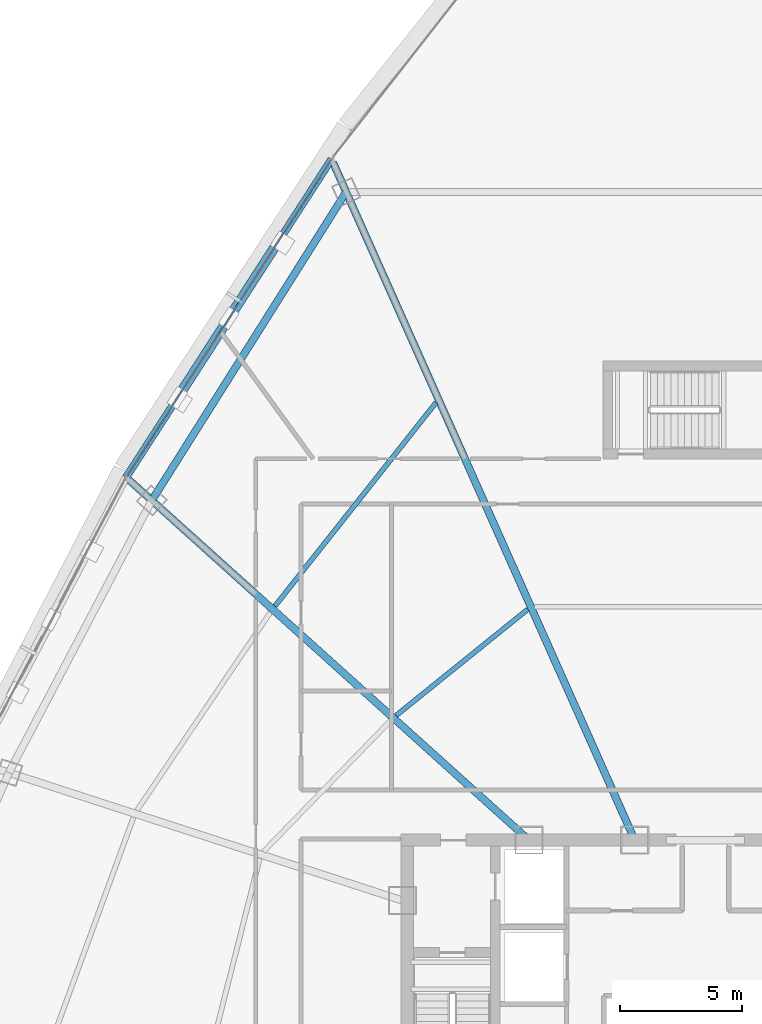
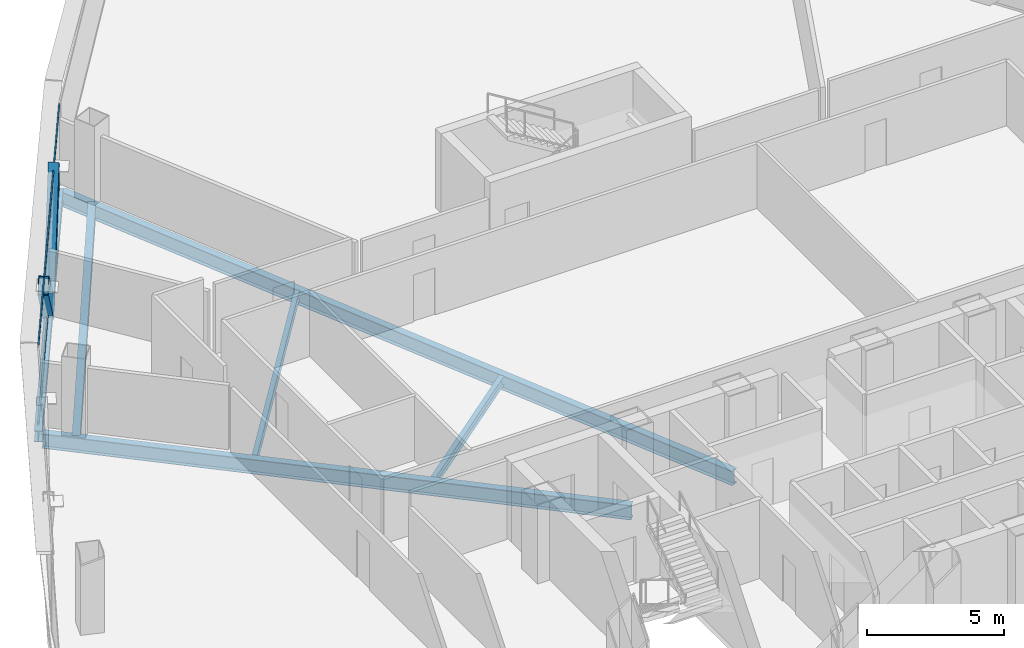
# One storey, part 17 of 36: 6 beams, 4 members, 1 element without a shape of its own.
"""IFC4 building model written with IfcOpenShell, lengths in metres."""

from ifc_helpers import new_model, si_unit, direction, frame, origin, origin_2d, place, context, subcontext, project, spatial, hollow_rectangle, i_section, extrude, source, transform, mapped, material, layer, layer_set, material_profile, profile_set, type_object, element, aggregate, save


model = new_model("IFC4")

# Units and contexts
model_context = context("Model", 3, precision=1e-05, world=origin(), true_north=direction((0.0, 1.0)))
body_context = subcontext(model_context, "Body", "Model", "MODEL_VIEW")
ifc_project = project(units=[si_unit("LENGTHUNIT", "METRE"), si_unit("AREAUNIT", "SQUARE_METRE"), si_unit("VOLUMEUNIT", "CUBIC_METRE"), si_unit("PLANEANGLEUNIT", "RADIAN"), si_unit("MASSUNIT", "GRAM", prefix="KILO"), si_unit("THERMODYNAMICTEMPERATUREUNIT", "KELVIN"), si_unit("POWERUNIT", "WATT")], contexts=[model_context])

# Site, building, storey
site_placement = place(None, origin())
site = spatial("IfcSite", under=ifc_project, at=site_placement, CompositionType="ELEMENT")
building_placement = place(site_placement, origin())
building = spatial("IfcBuilding", under=site, at=building_placement, Name="Yunzhuo Pagoda Commons", CompositionType="ELEMENT")
storey_placement = place(building_placement, frame((0.0, 0.0, 215.159912109375)))
storey = spatial("IfcBuildingStorey", under=building, at=storey_placement, Name="L54", CompositionType="ELEMENT", Elevation=215.159912109375)

# Beams
ifc_material_1 = material(Name="Structural steel Q355B", Category="steel")
ifc_material_profile_1 = material_profile(ifc_material_1, i_section(OverallWidth=0.300048828125, OverallDepth=0.64990234375, WebThickness=0.012939453125, FlangeThickness=0.02197265625, at=origin_2d()), Name="Structural steel Q355B")
ifc_profile_set_1 = profile_set([ifc_material_profile_1], Name="Structural steel Q355B")
beam_type_1 = type_object("IfcBeamType", Name="B-RG2 Beam HN 650x300x13x22", PredefinedType="BEAM", material=ifc_profile_set_1)
shared_shape_1 = source(origin(), body_context, "Body", "SweptSolid", [
    extrude(i_section(OverallWidth=0.300048828125, OverallDepth=0.64990234375, WebThickness=0.012939453125, FlangeThickness=0.02197265625, at=origin_2d()), origin(), (0.0, 0.0, 1.0), 14.916015625),
])
beam_1_placement = place(storey_placement, frame((33.301025390625, 66.714599609375, -0.5849609375), z_axis=(-0.533092374013, -0.846057043449, 0.0), x_axis=(0.846057043449, -0.533092374013, 0.0)))
element("IfcBeam", 1, at=beam_1_placement, inside=storey, type_object=beam_type_1, Name="L54 column-ring beam 9", PredefinedType="BEAM", context=body_context, shape_type="MappedRepresentation", body=[
    mapped(shared_shape_1, transform((0.0, 0.0, 0.0), scale=1.0)),
])
ifc_material_profile_2 = material_profile(ifc_material_1, i_section(OverallWidth=0.199951171875, OverallDepth=0.39990234375, WebThickness=0.008056640625, FlangeThickness=0.012939453125, at=origin_2d()), Name="Structural steel Q355B")
ifc_profile_set_2 = profile_set([ifc_material_profile_2], Name="Structural steel Q355B")
beam_type_2 = type_object("IfcBeamType", Name="B-JS1 Joist HN 400x200x8x13", PredefinedType="JOIST", material=ifc_profile_set_2)
shared_shape_2 = source(origin(), body_context, "Body", "SweptSolid", [
    extrude(i_section(OverallWidth=0.199951171875, OverallDepth=0.39990234375, WebThickness=0.008056640625, FlangeThickness=0.012939453125, at=origin_2d()), origin(), (0.0, 0.0, 1.0), 6.916748046875),
])
beam_2_placement = place(storey_placement, frame((40.732421875, 49.645263671875, -0.4599609375), z_axis=(-0.778265575865, -0.627935262127, 0.0), x_axis=(0.627935262127, -0.778265575865, 0.0)))
element("IfcBeam", 2, at=beam_2_placement, inside=storey, type_object=beam_type_2, Name="L54 composite ring joist 1.9", PredefinedType="JOIST", context=body_context, shape_type="MappedRepresentation", body=[
    mapped(shared_shape_2, transform((0.0, 0.0, 0.0), scale=1.0)),
])
shared_shape_3 = source(origin(), body_context, "Body", "SweptSolid", [
    extrude(i_section(OverallWidth=0.199951171875, OverallDepth=0.39990234375, WebThickness=0.008056640625, FlangeThickness=0.012939453125, at=origin_2d()), origin(), (0.0, 0.0, 1.0), 10.625732421875),
])
beam_3_placement = place(storey_placement, frame((36.980224609375, 58.105224609375, -0.4599609375), z_axis=(-0.620589944532, -0.784135269418, 0.0), x_axis=(0.784135269418, -0.620589944532, 0.0)))
element("IfcBeam", 3, at=beam_3_placement, inside=storey, type_object=beam_type_2, Name="L54 composite ring joist 2.9", PredefinedType="JOIST", context=body_context, shape_type="MappedRepresentation", body=[
    mapped(shared_shape_3, transform((0.0, 0.0, 0.0), scale=1.0)),
])
shared_shape_4 = source(origin(), body_context, "Body", "SweptSolid", [
    extrude(i_section(OverallWidth=0.300048828125, OverallDepth=0.64990234375, WebThickness=0.012939453125, FlangeThickness=0.02197265625, at=origin_2d()), origin(), (0.0, 0.0, 1.0), 22.02490234375),
])
beam_4_placement = place(storey_placement, frame((24.413330078125, 54.9375, -0.5849609375), z_axis=(0.743144207788, -0.669131292371, 0.0), x_axis=(0.669131292371, 0.743144207788, 0.0)))
element("IfcBeam", 4, at=beam_4_placement, inside=storey, type_object=beam_type_1, Name="L54 radial floor girder F3C2", PredefinedType="BEAM", context=body_context, shape_type="MappedRepresentation", body=[
    mapped(shared_shape_4, transform((0.0, 0.0, 0.0), scale=1.0)),
])
shared_shape_5 = source(origin(), body_context, "Body", "SweptSolid", [
    extrude(i_section(OverallWidth=0.300048828125, OverallDepth=0.64990234375, WebThickness=0.012939453125, FlangeThickness=0.02197265625, at=origin_2d()), origin(), (0.0, 0.0, 1.0), 30.3408203125),
])
beam_5_placement = place(storey_placement, frame((32.765380859375, 67.917724609375, -0.5849609375), z_axis=(0.406731921455, -0.913547559829, 0.0), x_axis=(0.913547559829, 0.406731921455, 0.0)))
element("IfcBeam", 5, at=beam_5_placement, inside=storey, type_object=beam_type_1, Name="L54 radial floor girder F3C1", PredefinedType="BEAM", context=body_context, shape_type="MappedRepresentation", body=[
    mapped(shared_shape_5, transform((0.0, 0.0, 0.0), scale=1.0)),
])
ifc_material_profile_3 = material_profile(ifc_material_1, i_section(OverallWidth=0.300048828125, OverallDepth=0.488037109375, WebThickness=0.010986328125, FlangeThickness=0.01806640625, at=origin_2d()), Name="Structural steel Q355B")
ifc_profile_set_3 = profile_set([ifc_material_profile_3], Name="Structural steel Q355B")
beam_type_3 = type_object("IfcBeamType", Name="B-SP1 Beam HM 488x300x11x18", PredefinedType="BEAM", material=ifc_profile_set_3)
shared_shape_6 = source(origin(), body_context, "Body", "SweptSolid", [
    extrude(i_section(OverallWidth=0.300048828125, OverallDepth=0.488037109375, WebThickness=0.010986328125, FlangeThickness=0.01806640625, at=origin_2d()), origin(), (0.0, 0.0, 1.0), 15.4951171875),
])
beam_6_placement = place(storey_placement, frame((32.702392578125, 68.05908203125, -0.50390625), z_axis=(-0.542386674216, -0.840128975594, 0.0), x_axis=(0.840128975594, -0.542386674216, 0.0)))
element("IfcBeam", 6, at=beam_6_placement, inside=storey, type_object=beam_type_3, Name="L54 facade edge spandrel beam F3.1", PredefinedType="BEAM", context=body_context, shape_type="MappedRepresentation", body=[
    mapped(shared_shape_6, transform((0.0, 0.0, 0.0), scale=1.0)),
])

# Members
ifc_material_profile_4 = material_profile(ifc_material_1, hollow_rectangle(XDim=0.39990234375, YDim=0.719970703125, WallThickness=0.02392578125, at=origin_2d()), Name="Structural steel Q355B")
ifc_profile_set_4 = profile_set([ifc_material_profile_4], Name="Structural steel Q355B")
member_type_1 = type_object("IfcMemberType", Name="M-DL2 Brace BOX 720x400x24", PredefinedType="BRACE", material=ifc_profile_set_4)
shared_shape_7 = source(origin(), body_context, "Body", "SweptSolid", [
    extrude(hollow_rectangle(XDim=0.39990234375, YDim=0.719970703125, WallThickness=0.02392578125, at=origin_2d()), origin(), (0.0, 0.0, 1.0), 5.41259765625),
])
for number, where, z_axis, x_axis, name in (
    (7, (28.500244140625, 61.55029296875, -0.260009765625), (0.388184919033, 0.601312242114, 0.698381025028), (-0.840142880277, 0.542365135974, 0.0), "L54 facade diamond brace F3.1L"),
    (8, (28.500244140625, 61.55029296875, -0.260009765625), (-0.388184919033, -0.601312242114, 0.698381025028), (0.840142880277, -0.542365135974, 0.0), "L54 facade diamond brace F3.1R"),
):
    element("IfcMember", number, at=place(storey_placement, frame(where, z_axis=z_axis, x_axis=x_axis)), inside=storey, type_object=member_type_1, Name=name, PredefinedType="BRACE", context=body_context, shape_type="MappedRepresentation", body=[
        mapped(shared_shape_7, transform((0.0, 0.0, 0.0), scale=1.0)),
    ])

# Curtain wall, members
ifc_material_2 = material(Name="Anodized aluminium 6063-T6", Category="aluminium")
ifc_layer = layer(ifc_material_2, 0.14990234375)
ifc_layer_set = layer_set([ifc_layer], Name="Anodized aluminium 6063-T6")
curtain_wall_type = type_object("IfcCurtainWallType", Name="CW-MID Mid-Zone Ribbon Curtain Wall", PredefinedType="NOTDEFINED", material=ifc_layer_set)
curtain_wall_placement = place(storey_placement, origin())
curtain_wall = element("IfcCurtainWall", 9, at=curtain_wall_placement, inside=storey, type_object=curtain_wall_type, Name="L54 curtain wall CW-L54-F3B2", PredefinedType="NOTDEFINED")
ifc_material_profile_5 = material_profile(ifc_material_2, hollow_rectangle(XDim=0.054931640625, YDim=0.1298828125, WallThickness=0.00341796875, at=origin_2d()), Name="Anodized aluminium 6063-T6")
ifc_profile_set_5 = profile_set([ifc_material_profile_5], Name="Anodized aluminium 6063-T6")
member_type_2 = type_object("IfcMemberType", Name="CW-MID-T Transom RHS 130x55x3.5", PredefinedType="USERDEFINED", material=ifc_profile_set_5)
shared_shape_8 = source(origin(), body_context, "Body", "SweptSolid", [
    extrude(hollow_rectangle(XDim=0.054931640625, YDim=0.1298828125, WallThickness=0.00341796875, at=origin_2d()), origin(), (0.0, 0.0, 1.0), 15.375),
])
member_1_placement = place(storey_placement, frame((32.669677734375, 68.0087890625, 0.027587890625), z_axis=(-0.542352903721, -0.84015077684, 0.0), x_axis=(0.84015077684, -0.542352903721, 0.0)))
member_1 = element("IfcMember", 10, at=member_1_placement, type_object=member_type_2, Name="CW transom 1.1", ObjectType="TRANSOM", PredefinedType="USERDEFINED", context=body_context, shape_type="MappedRepresentation", body=[
    mapped(shared_shape_8, transform((0.0, 0.0, 0.0), scale=1.0)),
])
member_2_placement = place(storey_placement, frame((32.669677734375, 68.0087890625, 3.49267578125), z_axis=(-0.542352903721, -0.84015077684, 0.0), x_axis=(0.84015077684, -0.542352903721, 0.0)))
member_2 = element("IfcMember", 11, at=member_2_placement, type_object=member_type_2, Name="CW transom 1.2", ObjectType="TRANSOM", PredefinedType="USERDEFINED", context=body_context, shape_type="MappedRepresentation", body=[
    mapped(shared_shape_8, transform((0.0, 0.0, 0.0), scale=1.0)),
])
aggregate(curtain_wall, [member_1, member_2])

save(model, "model.ifc")
